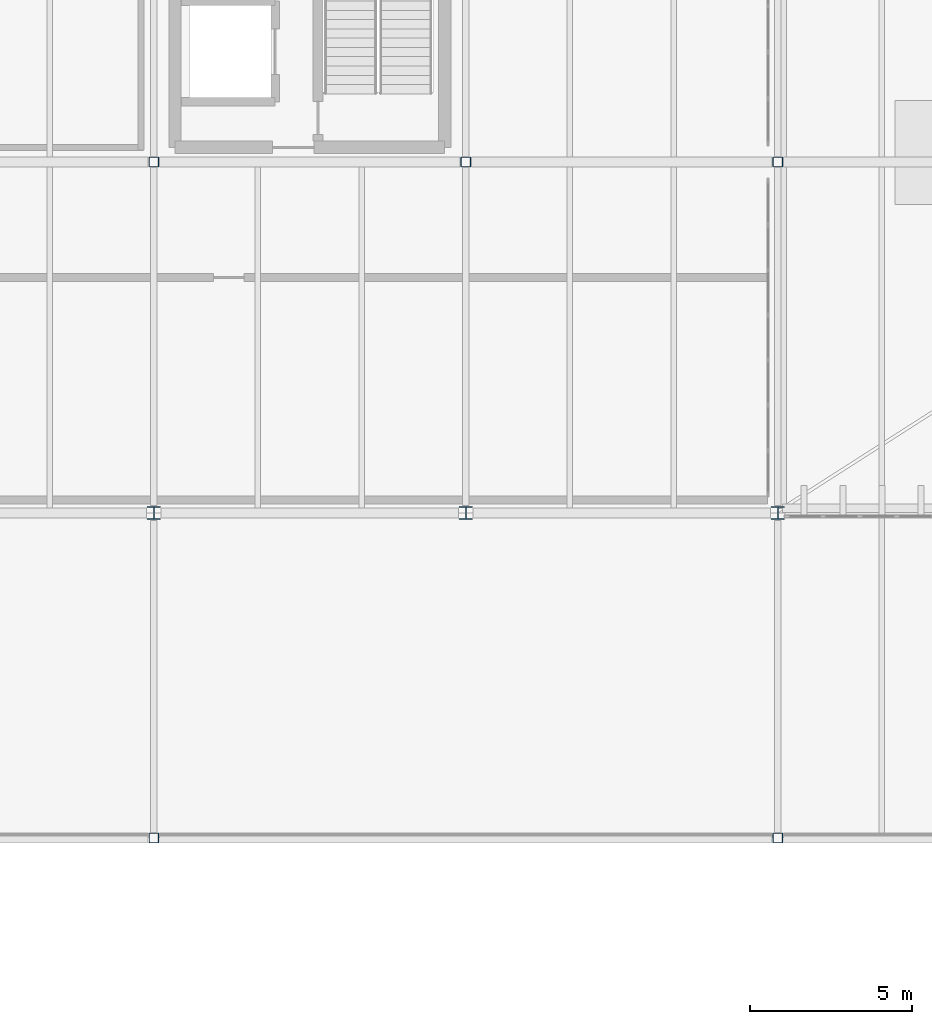
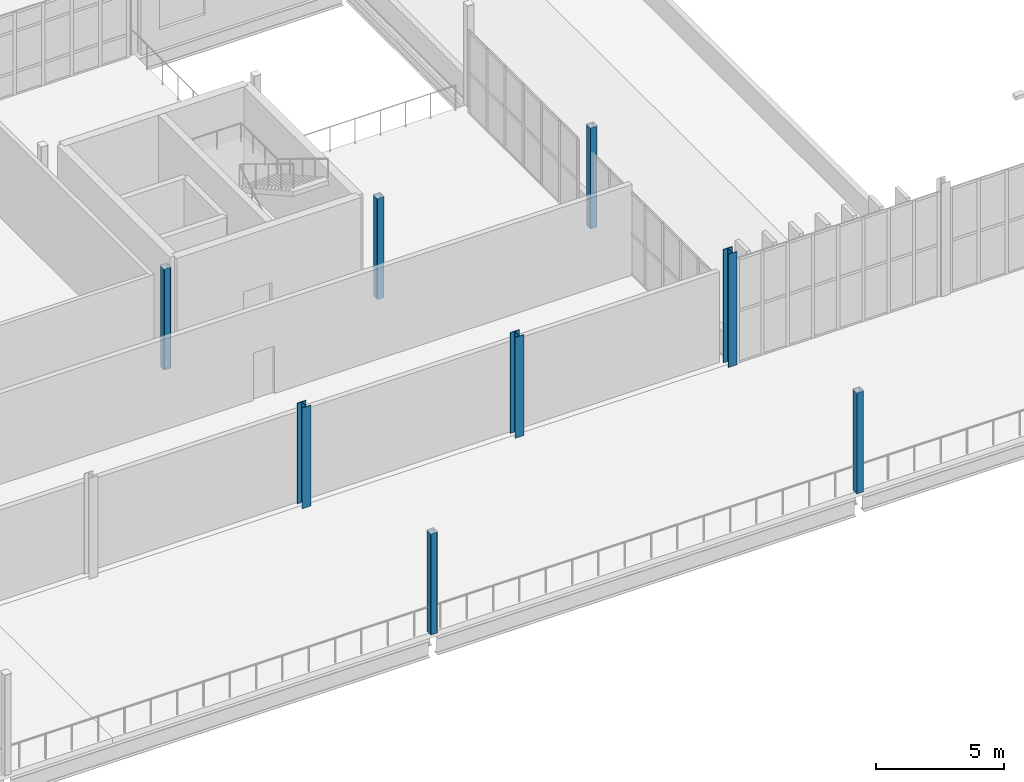
# One storey, part 10 of 112: 8 columns.
"""IFC4 building model written with IfcOpenShell, lengths in metres."""

from ifc_helpers import new_model, si_unit, direction, frame, origin, origin_2d, place, context, subcontext, project, spatial, hollow_rectangle, i_section, extrude, material, material_profile, profile_set, type_object, element, save


model = new_model("IFC4")

# Units and contexts
model_context = context("Model", 3, precision=1e-05, world=origin(), true_north=direction((0.0, 1.0)))
body_context = subcontext(model_context, "Body", "Model", "MODEL_VIEW")
ifc_project = project(units=[si_unit("LENGTHUNIT", "METRE"), si_unit("AREAUNIT", "SQUARE_METRE"), si_unit("VOLUMEUNIT", "CUBIC_METRE"), si_unit("PLANEANGLEUNIT", "RADIAN"), si_unit("MASSUNIT", "GRAM", prefix="KILO")], contexts=[model_context])

# Site, building, storey
site_placement = place(None, origin())
site = spatial("IfcSite", under=ifc_project, at=site_placement, CompositionType="ELEMENT")
building_placement = place(site_placement, origin())
building = spatial("IfcBuilding", under=site, at=building_placement, Name="Yeouljin Market Hall", CompositionType="ELEMENT")
storey_placement = place(building_placement, frame((0.0, 0.0, 6.0)))
storey = spatial("IfcBuildingStorey", under=building, at=storey_placement, Name="L01", CompositionType="ELEMENT", Elevation=6.0)

# Columns
ifc_material_1 = material(Name="Steel SM355", Category="steel")
ifc_material_profile_1 = material_profile(ifc_material_1, i_section(OverallWidth=0.39990234375, OverallDepth=0.39990234375, WebThickness=0.012939453125, FlangeThickness=0.02099609375, FilletRadius=0.02197265625, at=origin_2d()), Name="H-400x400x13x21")
ifc_profile_set_1 = profile_set([ifc_material_profile_1], Name="Steel SM355")
column_type_1 = type_object("IfcColumnType", Name="Col_H-400x400x13x21", PredefinedType="COLUMN", material=ifc_profile_set_1)
for number, where, z_axis, x_axis, name in (
    (1, (102.60009765625, 78.0, 0.0), (0.0, 0.0, 1.0), (1.0, 0.0, 0.0), "Column G-12-08 (L01)"),
    (2, (112.199951171875, 78.0, 0.0), (0.0, 0.0, 1.0), (1.0, 0.0, 0.0), "Column G-13-08 (L01)"),
):
    element("IfcColumn", number, at=place(storey_placement, frame(where, z_axis=z_axis, x_axis=x_axis)), inside=storey, type_object=column_type_1, Name=name, PredefinedType="COLUMN", context=body_context, shape_type="SweptSolid", body=[
        extrude(i_section(OverallWidth=0.39990234375, OverallDepth=0.39990234375, WebThickness=0.012939453125, FlangeThickness=0.02099609375, FilletRadius=0.02197265625, at=origin_2d()), origin(), (0.0, 0.0, 1.0), 4.800048828125),
    ])
column_placement = place(storey_placement, frame((121.800048828125, 78.0, 0.0), z_axis=(0.0, 0.0, 1.0), x_axis=(1.0, 0.0, 0.0)))
element("IfcColumn", 3, at=column_placement, inside=storey, type_object=column_type_1, Name="Column G-14-08 (L01)", PredefinedType="COLUMN", context=body_context, shape_type="SweptSolid", body=[
    extrude(i_section(OverallWidth=0.39990234375, OverallDepth=0.39990234375, WebThickness=0.012939453125, FlangeThickness=0.02099609375, FilletRadius=0.02197265625, at=origin_2d()), origin(), (0.0, 0.0, 1.0), 5.39990234375),
])
ifc_material_2 = material(Name="Steel SM355", Category="steel")
ifc_material_profile_2 = material_profile(ifc_material_2, hollow_rectangle(XDim=0.300048828125, YDim=0.300048828125, WallThickness=0.010009765625, InnerFilletRadius=0.010009765625, OuterFilletRadius=0.01611328125, at=origin_2d()), Name="SHS-300x300x10")
ifc_profile_set_2 = profile_set([ifc_material_profile_2], Name="Steel SM355")
column_type_2 = type_object("IfcColumnType", Name="Col_SHS-300x300x10", PredefinedType="COLUMN", material=ifc_profile_set_2)
for number, where, z_axis, x_axis, name in (
    (4, (102.60009765625, 68.0, 0.0), (0.0, 0.0, 1.0), (1.0, 0.0, 0.0), "Column G-12-07 (L01)"),
    (5, (102.60009765625, 88.800048828125, 0.0), (0.0, 0.0, 1.0), (1.0, 0.0, 0.0), "Column G-12-09 (L01)"),
    (6, (112.199951171875, 88.800048828125, 0.0), (0.0, 0.0, 1.0), (1.0, 0.0, 0.0), "Column G-13-09 (L01)"),
    (7, (121.800048828125, 68.0, 0.0), (0.0, 0.0, 1.0), (1.0, 0.0, 0.0), "Column G-14-07 (L01)"),
    (8, (121.800048828125, 88.800048828125, 0.0), (0.0, 0.0, 1.0), (1.0, 0.0, 0.0), "Column G-14-09 (L01)"),
):
    element("IfcColumn", number, at=place(storey_placement, frame(where, z_axis=z_axis, x_axis=x_axis)), inside=storey, type_object=column_type_2, Name=name, PredefinedType="COLUMN", context=body_context, shape_type="SweptSolid", body=[
        extrude(hollow_rectangle(XDim=0.300048828125, YDim=0.300048828125, WallThickness=0.010009765625, InnerFilletRadius=0.010009765625, OuterFilletRadius=0.01611328125, at=origin_2d()), origin(), (0.0, 0.0, 1.0), 4.800048828125),
    ])

save(model, "model.ifc")
